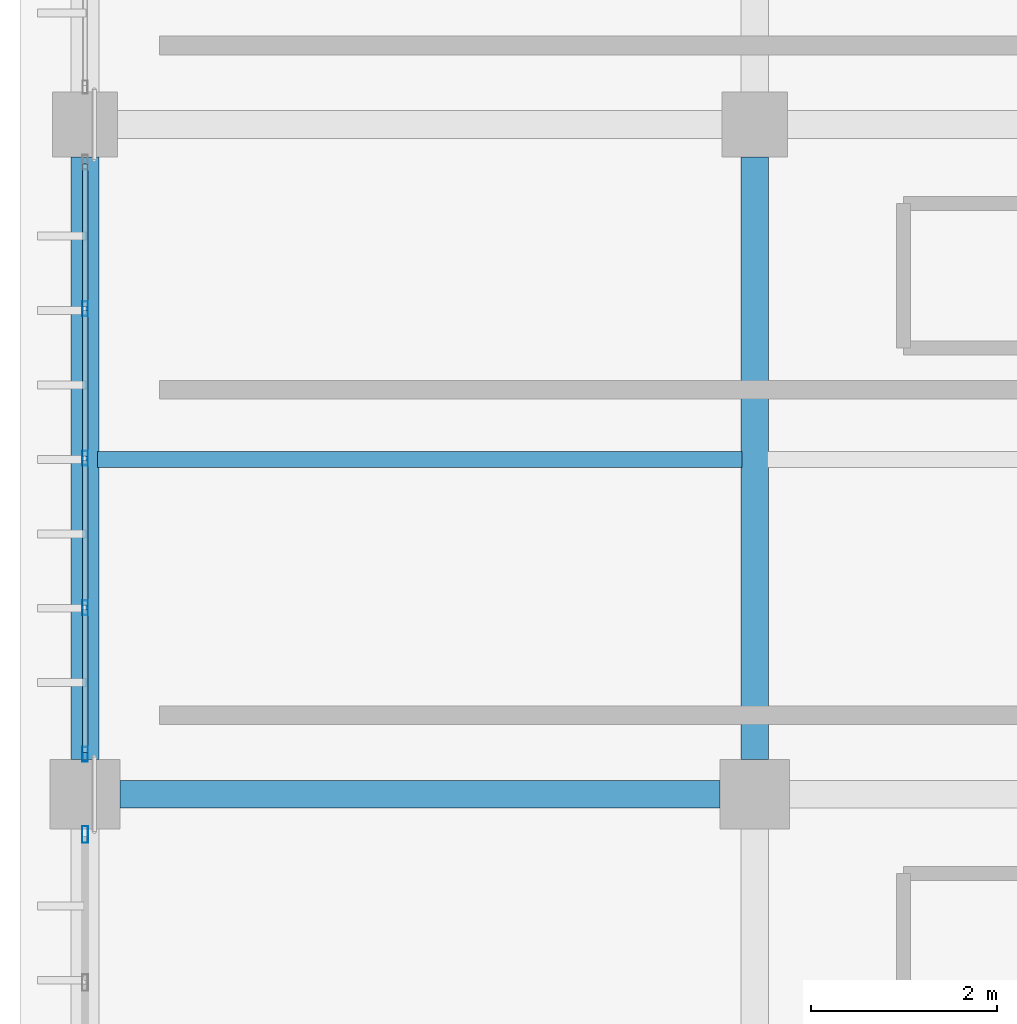
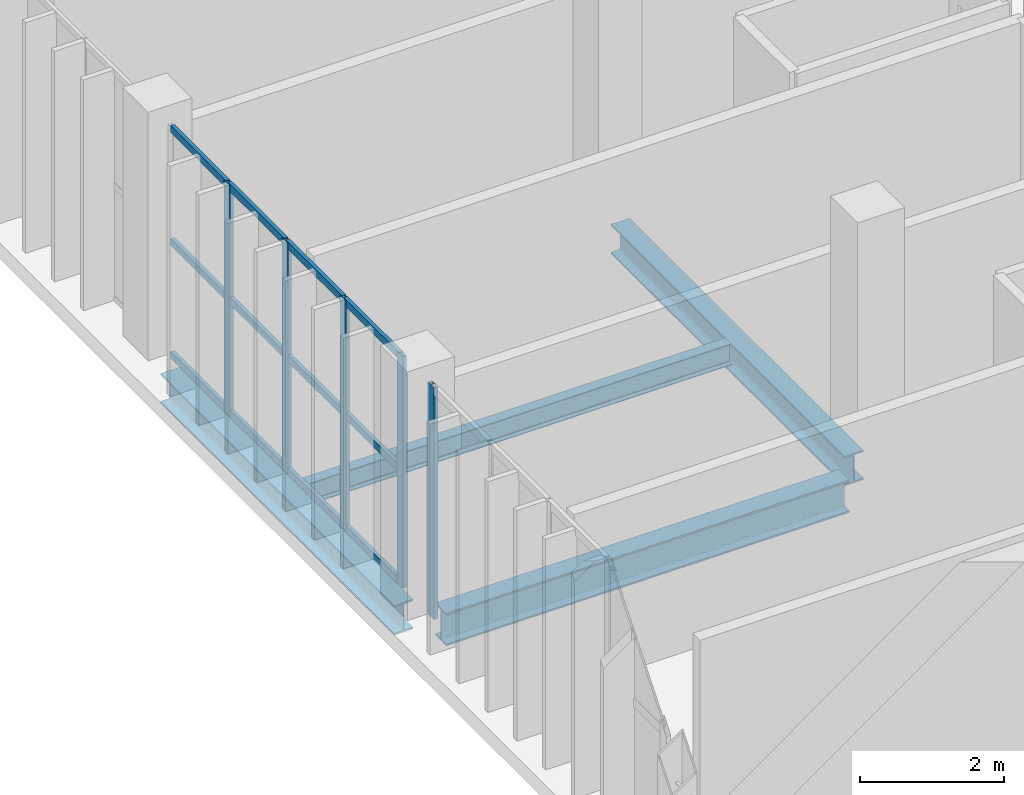
# One storey, part 32 of 130: 17 members, 4 beams, 2 elements without a shape of their own.
"""IFC4 building model written with IfcOpenShell, lengths in metres."""

from ifc_helpers import new_model, si_unit, direction, frame, origin, origin_2d, place, context, subcontext, project, spatial, hollow_rectangle, i_section, extrude, material, material_profile, profile_set, type_object, element, aggregate, save


model = new_model("IFC4")

# Units and contexts
model_context = context("Model", 3, precision=1e-05, world=origin(), true_north=direction((0.0, 1.0)))
body_context = subcontext(model_context, "Body", "Model", "MODEL_VIEW")
ifc_project = project(units=[si_unit("LENGTHUNIT", "METRE"), si_unit("AREAUNIT", "SQUARE_METRE"), si_unit("VOLUMEUNIT", "CUBIC_METRE"), si_unit("PLANEANGLEUNIT", "RADIAN"), si_unit("MASSUNIT", "GRAM", prefix="KILO")], contexts=[model_context])

# Site, building, storey
site_placement = place(None, origin())
site = spatial("IfcSite", under=ifc_project, at=site_placement, CompositionType="ELEMENT")
building_placement = place(site_placement, origin())
building = spatial("IfcBuilding", under=site, at=building_placement, Name="Qandorah Velis Arena", CompositionType="ELEMENT")
storey_placement = place(building_placement, frame((0.0, 0.0, 9.60009765625)))
storey = spatial("IfcBuildingStorey", under=building, at=storey_placement, Name="L02", CompositionType="ELEMENT", Elevation=9.60009765625)

# Curtain wall, members
ifc_material_1 = material(Name="Solar-control low-E double glazing", Category="glass")
curtain_wall_type_1 = type_object("IfcCurtainWallType", Name="ARC-CW-SYS15", PredefinedType="USERDEFINED", material=ifc_material_1)
curtain_wall_1_placement = place(storey_placement, origin())
curtain_wall_1 = element("IfcCurtainWall", 1, at=curtain_wall_1_placement, inside=storey, type_object=curtain_wall_type_1, Name="Unitised curtain wall L02-015", ObjectType="UNITISED CURTAIN WALL", PredefinedType="USERDEFINED")
ifc_material_2 = material(Name="Champagne-bronze anodized aluminium 6063-T6", Category="aluminium")
ifc_material_profile_1 = material_profile(ifc_material_2, hollow_rectangle(XDim=0.06005859375, YDim=0.159912109375, WallThickness=0.00341796875, at=origin_2d()), Name="ALU MULLION 60x160")
ifc_profile_set_1 = profile_set([ifc_material_profile_1], Name="Champagne-bronze anodized aluminium 6063-T6")
member_type_1 = type_object("IfcMemberType", Name="ARC-CWM-160", PredefinedType="MULLION", material=ifc_profile_set_1)
member_1_placement = place(storey_placement, frame((0.0, 58.030029296875, -0.01513671875), z_axis=(0.0, 0.0, 1.0), x_axis=(-1.0, 0.0, 0.0)))
member_1 = element("IfcMember", 2, at=member_1_placement, type_object=member_type_1, Name="CW15 mullion 1", PredefinedType="MULLION", context=body_context, shape_type="SweptSolid", body=[
    extrude(hollow_rectangle(XDim=0.06005859375, YDim=0.159912109375, WallThickness=0.00341796875, at=origin_2d()), origin(), (0.0, 0.0, 1.0), 3.91015625),
])
member_2_placement = place(storey_placement, frame((0.0, 59.606201171875, -0.01513671875), z_axis=(0.0, 0.0, 1.0), x_axis=(-1.0, 0.0, 0.0)))
member_2 = element("IfcMember", 3, at=member_2_placement, type_object=member_type_1, Name="CW15 mullion 2", PredefinedType="MULLION", context=body_context, shape_type="SweptSolid", body=[
    extrude(hollow_rectangle(XDim=0.06005859375, YDim=0.159912109375, WallThickness=0.00341796875, at=origin_2d()), origin(), (0.0, 0.0, 1.0), 3.91015625),
])
member_3_placement = place(storey_placement, frame((0.0, 61.21240234375, -0.01513671875), z_axis=(0.0, 0.0, 1.0), x_axis=(-1.0, 0.0, 0.0)))
member_3 = element("IfcMember", 4, at=member_3_placement, type_object=member_type_1, Name="CW15 mullion 3", PredefinedType="MULLION", context=body_context, shape_type="SweptSolid", body=[
    extrude(hollow_rectangle(XDim=0.06005859375, YDim=0.159912109375, WallThickness=0.00341796875, at=origin_2d()), origin(), (0.0, 0.0, 1.0), 3.91015625),
])
member_4_placement = place(storey_placement, frame((0.0, 62.81884765625, -0.01513671875), z_axis=(0.0, 0.0, 1.0), x_axis=(-1.0, 0.0, 0.0)))
member_4 = element("IfcMember", 5, at=member_4_placement, type_object=member_type_1, Name="CW15 mullion 4", PredefinedType="MULLION", context=body_context, shape_type="SweptSolid", body=[
    extrude(hollow_rectangle(XDim=0.06005859375, YDim=0.159912109375, WallThickness=0.00341796875, at=origin_2d()), origin(), (0.0, 0.0, 1.0), 3.91015625),
])

# Curtain wall, member
curtain_wall_type_2 = type_object("IfcCurtainWallType", Name="ARC-CW-SYS14", PredefinedType="USERDEFINED", material=ifc_material_1)
curtain_wall_2_placement = place(storey_placement, origin())
curtain_wall_2 = element("IfcCurtainWall", 6, at=curtain_wall_2_placement, inside=storey, type_object=curtain_wall_type_2, Name="Unitised curtain wall L02-014", ObjectType="UNITISED CURTAIN WALL", PredefinedType="USERDEFINED")
ifc_material_profile_2 = material_profile(ifc_material_2, hollow_rectangle(XDim=0.06494140625, YDim=0.179931640625, WallThickness=0.00341796875, at=origin_2d()), Name="ALU MULLION 65x180")
ifc_profile_set_2 = profile_set([ifc_material_profile_2], Name="Champagne-bronze anodized aluminium 6063-T6")
member_type_2 = type_object("IfcMemberType", Name="ARC-CWM-180", PredefinedType="MULLION", material=ifc_profile_set_2)
member_5_placement = place(storey_placement, frame((0.0, 57.16748046875, -0.01513671875), z_axis=(0.0, 0.0, 1.0), x_axis=(-1.0, 0.0, 0.0)))
member_5 = element("IfcMember", 7, at=member_5_placement, type_object=member_type_2, Name="CW14 mullion 5", PredefinedType="MULLION", context=body_context, shape_type="SweptSolid", body=[
    extrude(hollow_rectangle(XDim=0.06494140625, YDim=0.179931640625, WallThickness=0.00341796875, at=origin_2d()), origin(), (0.0, 0.0, 1.0), 3.91015625),
])
aggregate(curtain_wall_2, [member_5])

# Member
ifc_material_profile_3 = material_profile(ifc_material_2, hollow_rectangle(XDim=0.06005859375, YDim=0.1201171875, WallThickness=0.0029296875, at=origin_2d()), Name="ALU TRANSOM 60x120")
ifc_profile_set_3 = profile_set([ifc_material_profile_3], Name="Champagne-bronze anodized aluminium 6063-T6")
member_type_3 = type_object("IfcMemberType", Name="ARC-CWT-120", PredefinedType="USERDEFINED", material=ifc_profile_set_3)
member_6_placement = place(storey_placement, frame((0.0, 58.048095703125, 0.02978515625), z_axis=(0.0, 1.0, 0.0), x_axis=(-1.0, 0.0, 0.0)))
member_6 = element("IfcMember", 8, at=member_6_placement, type_object=member_type_3, Name="CW15 transom 1.1", ObjectType="TRANSOM", PredefinedType="USERDEFINED", context=body_context, shape_type="SweptSolid", body=[
    extrude(hollow_rectangle(XDim=0.06005859375, YDim=0.1201171875, WallThickness=0.0029296875, at=origin_2d()), origin(), (0.0, 0.0, 1.0), 1.540283203125),
])

member_7_placement = place(storey_placement, frame((0.0, 58.048095703125, 1.93994140625), z_axis=(0.0, 1.0, 0.0), x_axis=(-1.0, 0.0, 0.0)))
member_7 = element("IfcMember", 9, at=member_7_placement, type_object=member_type_3, Name="CW15 transom 1.2", ObjectType="TRANSOM", PredefinedType="USERDEFINED", context=body_context, shape_type="SweptSolid", body=[
    extrude(hollow_rectangle(XDim=0.06005859375, YDim=0.1201171875, WallThickness=0.0029296875, at=origin_2d()), origin(), (0.0, 0.0, 1.0), 1.540283203125),
])

member_8_placement = place(storey_placement, frame((0.0, 58.048095703125, 3.849853515625), z_axis=(0.0, 1.0, 0.0), x_axis=(-1.0, 0.0, 0.0)))
member_8 = element("IfcMember", 10, at=member_8_placement, type_object=member_type_3, Name="CW15 transom 1.3", ObjectType="TRANSOM", PredefinedType="USERDEFINED", context=body_context, shape_type="SweptSolid", body=[
    extrude(hollow_rectangle(XDim=0.06005859375, YDim=0.1201171875, WallThickness=0.0029296875, at=origin_2d()), origin(), (0.0, 0.0, 1.0), 1.540283203125),
])

member_9_placement = place(storey_placement, frame((0.0, 59.624267578125, 0.02978515625), z_axis=(0.0, 1.0, 0.0), x_axis=(-1.0, 0.0, 0.0)))
member_9 = element("IfcMember", 11, at=member_9_placement, type_object=member_type_3, Name="CW15 transom 2.1", ObjectType="TRANSOM", PredefinedType="USERDEFINED", context=body_context, shape_type="SweptSolid", body=[
    extrude(hollow_rectangle(XDim=0.06005859375, YDim=0.1201171875, WallThickness=0.0029296875, at=origin_2d()), origin(), (0.0, 0.0, 1.0), 1.5703125),
])

member_10_placement = place(storey_placement, frame((0.0, 59.624267578125, 1.93994140625), z_axis=(0.0, 1.0, 0.0), x_axis=(-1.0, 0.0, 0.0)))
member_10 = element("IfcMember", 12, at=member_10_placement, type_object=member_type_3, Name="CW15 transom 2.2", ObjectType="TRANSOM", PredefinedType="USERDEFINED", context=body_context, shape_type="SweptSolid", body=[
    extrude(hollow_rectangle(XDim=0.06005859375, YDim=0.1201171875, WallThickness=0.0029296875, at=origin_2d()), origin(), (0.0, 0.0, 1.0), 1.5703125),
])

member_11_placement = place(storey_placement, frame((0.0, 59.624267578125, 3.849853515625), z_axis=(0.0, 1.0, 0.0), x_axis=(-1.0, 0.0, 0.0)))
member_11 = element("IfcMember", 13, at=member_11_placement, type_object=member_type_3, Name="CW15 transom 2.3", ObjectType="TRANSOM", PredefinedType="USERDEFINED", context=body_context, shape_type="SweptSolid", body=[
    extrude(hollow_rectangle(XDim=0.06005859375, YDim=0.1201171875, WallThickness=0.0029296875, at=origin_2d()), origin(), (0.0, 0.0, 1.0), 1.5703125),
])

member_12_placement = place(storey_placement, frame((0.0, 61.23046875, 0.02978515625), z_axis=(0.0, 1.0, 0.0), x_axis=(-1.0, 0.0, 0.0)))
member_12 = element("IfcMember", 14, at=member_12_placement, type_object=member_type_3, Name="CW15 transom 3.1", ObjectType="TRANSOM", PredefinedType="USERDEFINED", context=body_context, shape_type="SweptSolid", body=[
    extrude(hollow_rectangle(XDim=0.06005859375, YDim=0.1201171875, WallThickness=0.0029296875, at=origin_2d()), origin(), (0.0, 0.0, 1.0), 1.5703125),
])

member_13_placement = place(storey_placement, frame((0.0, 61.23046875, 1.93994140625), z_axis=(0.0, 1.0, 0.0), x_axis=(-1.0, 0.0, 0.0)))
member_13 = element("IfcMember", 15, at=member_13_placement, type_object=member_type_3, Name="CW15 transom 3.2", ObjectType="TRANSOM", PredefinedType="USERDEFINED", context=body_context, shape_type="SweptSolid", body=[
    extrude(hollow_rectangle(XDim=0.06005859375, YDim=0.1201171875, WallThickness=0.0029296875, at=origin_2d()), origin(), (0.0, 0.0, 1.0), 1.5703125),
])

member_14_placement = place(storey_placement, frame((0.0, 61.23046875, 3.849853515625), z_axis=(0.0, 1.0, 0.0), x_axis=(-1.0, 0.0, 0.0)))
member_14 = element("IfcMember", 16, at=member_14_placement, type_object=member_type_3, Name="CW15 transom 3.3", ObjectType="TRANSOM", PredefinedType="USERDEFINED", context=body_context, shape_type="SweptSolid", body=[
    extrude(hollow_rectangle(XDim=0.06005859375, YDim=0.1201171875, WallThickness=0.0029296875, at=origin_2d()), origin(), (0.0, 0.0, 1.0), 1.5703125),
])

member_15_placement = place(storey_placement, frame((0.0, 62.836669921875, 0.02978515625), z_axis=(0.0, 1.0, 0.0), x_axis=(-1.0, 0.0, 0.0)))
member_15 = element("IfcMember", 17, at=member_15_placement, type_object=member_type_3, Name="CW15 transom 4.1", ObjectType="TRANSOM", PredefinedType="USERDEFINED", context=body_context, shape_type="SweptSolid", body=[
    extrude(hollow_rectangle(XDim=0.06005859375, YDim=0.1201171875, WallThickness=0.0029296875, at=origin_2d()), origin(), (0.0, 0.0, 1.0), 1.540283203125),
])

member_16_placement = place(storey_placement, frame((0.0, 62.836669921875, 1.93994140625), z_axis=(0.0, 1.0, 0.0), x_axis=(-1.0, 0.0, 0.0)))
member_16 = element("IfcMember", 18, at=member_16_placement, type_object=member_type_3, Name="CW15 transom 4.2", ObjectType="TRANSOM", PredefinedType="USERDEFINED", context=body_context, shape_type="SweptSolid", body=[
    extrude(hollow_rectangle(XDim=0.06005859375, YDim=0.1201171875, WallThickness=0.0029296875, at=origin_2d()), origin(), (0.0, 0.0, 1.0), 1.540283203125),
])

member_17_placement = place(storey_placement, frame((0.0, 62.836669921875, 3.849853515625), z_axis=(0.0, 1.0, 0.0), x_axis=(-1.0, 0.0, 0.0)))
member_17 = element("IfcMember", 19, at=member_17_placement, type_object=member_type_3, Name="CW15 transom 4.3", ObjectType="TRANSOM", PredefinedType="USERDEFINED", context=body_context, shape_type="SweptSolid", body=[
    extrude(hollow_rectangle(XDim=0.06005859375, YDim=0.1201171875, WallThickness=0.0029296875, at=origin_2d()), origin(), (0.0, 0.0, 1.0), 1.540283203125),
])

aggregate(curtain_wall_1, [member_1, member_2, member_3, member_4, member_6, member_7, member_8, member_9, member_10, member_11, member_12, member_13, member_14, member_15, member_16, member_17])

# Beams
ifc_material_3 = material(Name="Steel S355", Category="steel")
ifc_material_profile_4 = material_profile(ifc_material_3, i_section(OverallWidth=0.300048828125, OverallDepth=0.5, WebThickness=0.014404296875, FlangeThickness=0.028076171875, FilletRadius=0.027099609375, at=origin_2d()), Name="HEB 500")
ifc_profile_set_4 = profile_set([ifc_material_profile_4], Name="Steel S355")
beam_type_1 = type_object("IfcBeamType", Name="STR-BM-HEB500", PredefinedType="BEAM", material=ifc_profile_set_4)
for number, where, z_axis, x_axis, name in (
    (20, (0.0, 57.97509765625, -0.530029296875), (0.0, 1.0, 0.0), (-1.0, 0.0, 0.0), "Primary floor girder L02 Y-190"),
    (21, (7.199951171875, 57.97509765625, -0.530029296875), (0.0, 1.0, 0.0), (-1.0, 0.0, 0.0), "Primary floor girder L02 Y-204"),
):
    element("IfcBeam", number, at=place(storey_placement, frame(where, z_axis=z_axis, x_axis=x_axis)), inside=storey, type_object=beam_type_1, Name=name, PredefinedType="BEAM", context=body_context, shape_type="SweptSolid", body=[
        extrude(i_section(OverallWidth=0.300048828125, OverallDepth=0.5, WebThickness=0.014404296875, FlangeThickness=0.028076171875, FilletRadius=0.027099609375, at=origin_2d()), origin(), (0.0, 0.0, 1.0), 6.474853515625),
    ])
ifc_material_profile_5 = material_profile(ifc_material_3, i_section(OverallWidth=0.300048828125, OverallDepth=0.550048828125, WebThickness=0.014892578125, FlangeThickness=0.029052734375, FilletRadius=0.027099609375, at=origin_2d()), Name="HEB 550")
ifc_profile_set_5 = profile_set([ifc_material_profile_5], Name="Steel S355")
beam_type_2 = type_object("IfcBeamType", Name="STR-BM-HEB550", PredefinedType="BEAM", material=ifc_profile_set_5)
beam_1_placement = place(storey_placement, frame((0.375, 57.60009765625, -0.55517578125), z_axis=(1.0, 0.0, 0.0), x_axis=(0.0, 1.0, 0.0)))
element("IfcBeam", 22, at=beam_1_placement, inside=storey, type_object=beam_type_2, Name="Primary floor girder L02 X-084", PredefinedType="BEAM", context=body_context, shape_type="SweptSolid", body=[
    extrude(i_section(OverallWidth=0.300048828125, OverallDepth=0.550048828125, WebThickness=0.014892578125, FlangeThickness=0.029052734375, FilletRadius=0.027099609375, at=origin_2d()), origin(), (0.0, 0.0, 1.0), 6.449951171875),
])
ifc_material_profile_6 = material_profile(ifc_material_3, i_section(OverallWidth=0.169921875, OverallDepth=0.360107421875, WebThickness=0.008056640625, FlangeThickness=0.0126953125, FilletRadius=0.01806640625, at=origin_2d()), Name="IPE 360")
ifc_profile_set_6 = profile_set([ifc_material_profile_6], Name="Steel S355")
beam_type_3 = type_object("IfcBeamType", Name="STR-JST-IPE360", PredefinedType="JOIST", material=ifc_profile_set_6)
beam_2_placement = place(storey_placement, frame((0.135009765625, 61.199951171875, -0.460205078125), z_axis=(1.0, 0.0, 0.0), x_axis=(0.0, 1.0, 0.0)))
element("IfcBeam", 23, at=beam_2_placement, inside=storey, type_object=beam_type_3, Name="Secondary floor joist L02-005", PredefinedType="JOIST", context=body_context, shape_type="SweptSolid", body=[
    extrude(i_section(OverallWidth=0.169921875, OverallDepth=0.360107421875, WebThickness=0.008056640625, FlangeThickness=0.0126953125, FilletRadius=0.01806640625, at=origin_2d()), origin(), (0.0, 0.0, 1.0), 6.929931640625),
])

save(model, "model.ifc")
